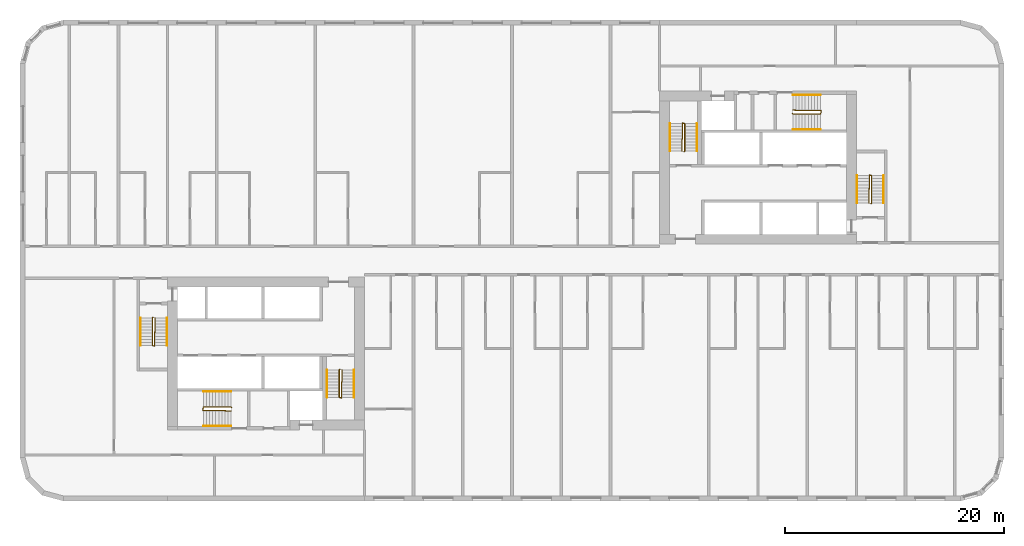
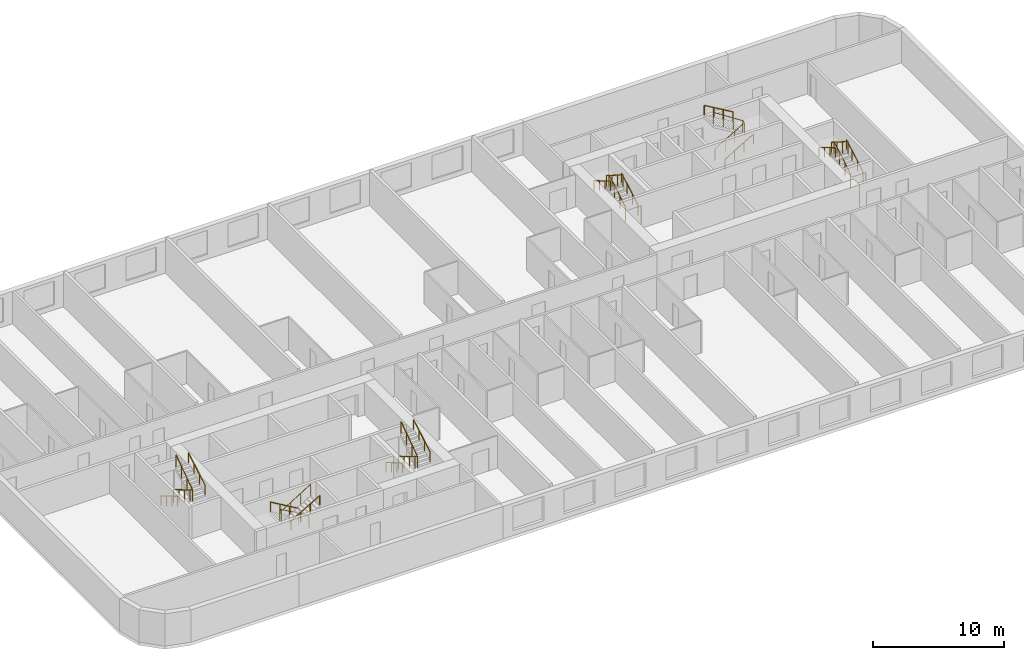
# One storey, part 12 of 12: 18 railings.
"""IFC4 building model written with IfcOpenShell, lengths in metres."""

from ifc_helpers import new_model, si_unit, direction, frame, origin, origin_2d, place, context, subcontext, project, spatial, circle, extrude, material, type_object, element, save


model = new_model("IFC4")

# Units and contexts
model_context = context("Model", 3, precision=1e-05, world=origin(), true_north=direction((0.0, 1.0)))
body_context = subcontext(model_context, "Body", "Model", "MODEL_VIEW")
ifc_project = project(units=[si_unit("LENGTHUNIT", "METRE"), si_unit("AREAUNIT", "SQUARE_METRE"), si_unit("VOLUMEUNIT", "CUBIC_METRE"), si_unit("PLANEANGLEUNIT", "RADIAN"), si_unit("MASSUNIT", "GRAM", prefix="KILO")], contexts=[model_context])

# Site, building, storey
site_placement = place(None, origin())
site = spatial("IfcSite", under=ifc_project, at=site_placement, CompositionType="ELEMENT")
building_placement = place(site_placement, origin())
building = spatial("IfcBuilding", under=site, at=building_placement, Name="Kajstack Hotel Tower", CompositionType="ELEMENT")
storey_placement = place(building_placement, frame((0.0, 0.0, 86.39990234375)))
storey = spatial("IfcBuildingStorey", under=building, at=storey_placement, Name="L17", CompositionType="ELEMENT", Elevation=86.39990234375)

# Railings
ifc_material = material(Name="Steel S355J2", Category="steel")
railing_type_1 = type_object("IfcRailingType", Name="Stair guard 1100", PredefinedType="GUARDRAIL", material=ifc_material)
railing_1_placement = place(storey_placement, frame((-32.85009765625, -5.199951171875, 0.0)))
element("IfcRailing", 1, at=railing_1_placement, inside=storey, type_object=railing_type_1, Name="L17 W1 stair guard 1", PredefinedType="GUARDRAIL", context=body_context, shape_type="SweptSolid", body=[
    extrude(circle(Radius=0.02392578125, at=origin_2d()), frame((0.0, 0.0, 1.076171875), z_axis=(-0.277450376394, -0.278810427259, 0.919394384522), x_axis=(0.708833529934, -0.705375805398, 0.0)), (0.0, 0.0, 1.0), 0.179443359375),
    extrude(circle(Radius=0.02392578125, at=origin_2d()), frame((-0.0498046875, -0.050048828125, 1.2412109375), z_axis=(0.0, -0.86152411907, 0.507716645641), x_axis=(1.0, 0.0, 0.0)), (0.0, 0.0, 1.0), 2.925048828125),
    extrude(circle(Radius=0.02392578125, at=origin_2d()), frame((-0.0498046875, -2.570068359375, 2.72607421875), z_axis=(0.970072785993, -0.242814311512, 0.0), x_axis=(0.242814311512, 0.970072785993, 0.0)), (0.0, 0.0, 1.0), 0.2060546875),
    extrude(circle(Radius=0.02392578125, at=origin_2d()), frame((0.150146484375, -2.6201171875, 2.72607421875), z_axis=(0.016385308676, 0.841405582595, 0.540155687962), x_axis=(-0.999810440751, 0.019470042781, 0.0)), (0.0, 0.0, 1.0), 3.054443359375),
    extrude(circle(Radius=0.02099609375, at=origin_2d()), origin(), (0.0, 0.0, 1.0), 1.052001953125),
    extrude(circle(Radius=0.02099609375, at=origin_2d()), frame((-0.0498046875, -0.050048828125, 0.1650390625)), (0.0, 0.0, 1.0), 1.052001953125),
    extrude(circle(Radius=0.02099609375, at=origin_2d()), frame((-0.0498046875, -0.89013671875, 0.66015625)), (0.0, 0.0, 1.0), 1.052001953125),
    extrude(circle(Radius=0.02099609375, at=origin_2d()), frame((-0.0498046875, -1.72998046875, 1.155029296875)), (0.0, 0.0, 1.0), 1.052001953125),
    extrude(circle(Radius=0.02099609375, at=origin_2d()), frame((-0.0498046875, -2.570068359375, 1.650146484375)), (0.0, 0.0, 1.0), 1.052001953125),
    extrude(circle(Radius=0.02099609375, at=origin_2d()), frame((0.150146484375, -2.6201171875, 1.650146484375)), (0.0, 0.0, 1.0), 1.052001953125),
    extrude(circle(Radius=0.02099609375, at=origin_2d()), frame((0.166748046875, -1.763427734375, 2.2001953125)), (0.0, 0.0, 1.0), 1.052001953125),
    extrude(circle(Radius=0.02099609375, at=origin_2d()), frame((0.18359375, -0.90673828125, 2.75)), (0.0, 0.0, 1.0), 1.052001953125),
    extrude(circle(Radius=0.02099609375, at=origin_2d()), frame((0.2001953125, -0.050048828125, 3.300048828125)), (0.0, 0.0, 1.0), 1.052001953125),
])
railing_2_placement = place(storey_placement, frame((-15.75, -9.949951171875, 0.0)))
element("IfcRailing", 2, at=railing_2_placement, inside=storey, type_object=railing_type_1, Name="L17 W2 stair guard 1", PredefinedType="GUARDRAIL", context=body_context, shape_type="SweptSolid", body=[
    extrude(circle(Radius=0.02392578125, at=origin_2d()), frame((0.0, 0.0, 1.076171875), z_axis=(-0.278705021027, -0.278705021027, 0.919046801044), x_axis=(0.707106781187, -0.707106781187, 0.0)), (0.0, 0.0, 1.0), 0.1796875),
    extrude(circle(Radius=0.02392578125, at=origin_2d()), frame((-0.050048828125, -0.050048828125, 1.2412109375), z_axis=(0.0, -0.86152411907, 0.507716645641), x_axis=(1.0, 0.0, 0.0)), (0.0, 0.0, 1.0), 2.925048828125),
    extrude(circle(Radius=0.02392578125, at=origin_2d()), frame((-0.050048828125, -2.570068359375, 2.72607421875), z_axis=(0.970072785993, -0.242814311512, 0.0), x_axis=(0.242814311512, 0.970072785993, 0.0)), (0.0, 0.0, 1.0), 0.2060546875),
    extrude(circle(Radius=0.02392578125, at=origin_2d()), frame((0.14990234375, -2.6201171875, 2.72607421875), z_axis=(0.016385308676, 0.841405582595, 0.540155687962), x_axis=(-0.999810440751, 0.019470042781, 0.0)), (0.0, 0.0, 1.0), 3.054443359375),
    extrude(circle(Radius=0.02099609375, at=origin_2d()), origin(), (0.0, 0.0, 1.0), 1.052001953125),
    extrude(circle(Radius=0.02099609375, at=origin_2d()), frame((-0.050048828125, -0.050048828125, 0.1650390625)), (0.0, 0.0, 1.0), 1.052001953125),
    extrude(circle(Radius=0.02099609375, at=origin_2d()), frame((-0.050048828125, -0.89013671875, 0.66015625)), (0.0, 0.0, 1.0), 1.052001953125),
    extrude(circle(Radius=0.02099609375, at=origin_2d()), frame((-0.050048828125, -1.72998046875, 1.155029296875)), (0.0, 0.0, 1.0), 1.052001953125),
    extrude(circle(Radius=0.02099609375, at=origin_2d()), frame((-0.050048828125, -2.570068359375, 1.650146484375)), (0.0, 0.0, 1.0), 1.052001953125),
    extrude(circle(Radius=0.02099609375, at=origin_2d()), frame((0.14990234375, -2.6201171875, 1.650146484375)), (0.0, 0.0, 1.0), 1.052001953125),
    extrude(circle(Radius=0.02099609375, at=origin_2d()), frame((0.16650390625, -1.763427734375, 2.2001953125)), (0.0, 0.0, 1.0), 1.052001953125),
    extrude(circle(Radius=0.02099609375, at=origin_2d()), frame((0.183349609375, -0.90673828125, 2.75)), (0.0, 0.0, 1.0), 1.052001953125),
    extrude(circle(Radius=0.02099609375, at=origin_2d()), frame((0.199951171875, -0.050048828125, 3.300048828125)), (0.0, 0.0, 1.0), 1.052001953125),
])
railing_3_placement = place(storey_placement, frame((-25.64990234375, -13.449951171875, 0.0)))
element("IfcRailing", 3, at=railing_3_placement, inside=storey, type_object=railing_type_1, Name="L17 W3 stair guard 1", PredefinedType="GUARDRAIL", context=body_context, shape_type="SweptSolid", body=[
    extrude(circle(Radius=0.02392578125, at=origin_2d()), frame((0.0, 0.0, 1.076171875), z_axis=(-0.278705021027, 0.278705021027, 0.919046801044), x_axis=(-0.707106781187, -0.707106781187, 0.0)), (0.0, 0.0, 1.0), 0.1796875),
    extrude(circle(Radius=0.02392578125, at=origin_2d()), frame((-0.050048828125, 0.050048828125, 1.2412109375), z_axis=(-0.86152411907, 0.0, 0.507716645641), x_axis=(0.0, -1.0, 0.0)), (0.0, 0.0, 1.0), 2.925048828125),
    extrude(circle(Radius=0.02392578125, at=origin_2d()), frame((-2.570068359375, 0.050048828125, 2.72607421875), z_axis=(-0.164529134168, -0.986372223864, 0.0), x_axis=(0.986372223864, -0.164529134168, 0.0)), (0.0, 0.0, 1.0), 0.30419921875),
    extrude(circle(Radius=0.02392578125, at=origin_2d()), frame((-2.6201171875, -0.25, 2.72607421875), z_axis=(0.841405582595, -0.016385308676, 0.540155687962), x_axis=(0.019470042781, 0.999810440751, 0.0)), (0.0, 0.0, 1.0), 3.054443359375),
    extrude(circle(Radius=0.02099609375, at=origin_2d()), origin(), (0.0, 0.0, 1.0), 1.052001953125),
    extrude(circle(Radius=0.02099609375, at=origin_2d()), frame((-0.050048828125, 0.050048828125, 0.1650390625)), (0.0, 0.0, 1.0), 1.052001953125),
    extrude(circle(Radius=0.02099609375, at=origin_2d()), frame((-0.89013671875, 0.050048828125, 0.66015625)), (0.0, 0.0, 1.0), 1.052001953125),
    extrude(circle(Radius=0.02099609375, at=origin_2d()), frame((-1.72998046875, 0.050048828125, 1.155029296875)), (0.0, 0.0, 1.0), 1.052001953125),
    extrude(circle(Radius=0.02099609375, at=origin_2d()), frame((-2.570068359375, 0.050048828125, 1.650146484375)), (0.0, 0.0, 1.0), 1.052001953125),
    extrude(circle(Radius=0.02099609375, at=origin_2d()), frame((-2.6201171875, -0.25, 1.650146484375)), (0.0, 0.0, 1.0), 1.052001953125),
    extrude(circle(Radius=0.02099609375, at=origin_2d()), frame((-1.763427734375, -0.2666015625, 2.2001953125)), (0.0, 0.0, 1.0), 1.052001953125),
    extrude(circle(Radius=0.02099609375, at=origin_2d()), frame((-0.90673828125, -0.283447265625, 2.75)), (0.0, 0.0, 1.0), 1.052001953125),
    extrude(circle(Radius=0.02099609375, at=origin_2d()), frame((-0.050048828125, -0.300048828125, 3.300048828125)), (0.0, 0.0, 1.0), 1.052001953125),
])
railing_4_placement = place(storey_placement, frame((32.85009765625, 5.199951171875, 0.0)))
element("IfcRailing", 4, at=railing_4_placement, inside=storey, type_object=railing_type_1, Name="L17 E1 stair guard 1", PredefinedType="GUARDRAIL", context=body_context, shape_type="SweptSolid", body=[
    extrude(circle(Radius=0.02392578125, at=origin_2d()), frame((0.0, 0.0, 1.076171875), z_axis=(0.277450376394, 0.278810427259, 0.919394384522), x_axis=(-0.708833529934, 0.705375805398, 0.0)), (0.0, 0.0, 1.0), 0.179443359375),
    extrude(circle(Radius=0.02392578125, at=origin_2d()), frame((0.0498046875, 0.050048828125, 1.2412109375), z_axis=(0.0, 0.86152411907, 0.507716645641), x_axis=(-1.0, 0.0, 0.0)), (0.0, 0.0, 1.0), 2.925048828125),
    extrude(circle(Radius=0.02392578125, at=origin_2d()), frame((0.0498046875, 2.570068359375, 2.72607421875), z_axis=(-0.970072785993, 0.242814311512, 0.0), x_axis=(-0.242814311512, -0.970072785993, 0.0)), (0.0, 0.0, 1.0), 0.2060546875),
    extrude(circle(Radius=0.02392578125, at=origin_2d()), frame((-0.150146484375, 2.6201171875, 2.72607421875), z_axis=(-0.016385308676, -0.841405582595, 0.540155687962), x_axis=(0.999810440751, -0.019470042781, 0.0)), (0.0, 0.0, 1.0), 3.054443359375),
    extrude(circle(Radius=0.02099609375, at=origin_2d()), origin(), (0.0, 0.0, 1.0), 1.052001953125),
    extrude(circle(Radius=0.02099609375, at=origin_2d()), frame((0.0498046875, 0.050048828125, 0.1650390625)), (0.0, 0.0, 1.0), 1.052001953125),
    extrude(circle(Radius=0.02099609375, at=origin_2d()), frame((0.0498046875, 0.89013671875, 0.66015625)), (0.0, 0.0, 1.0), 1.052001953125),
    extrude(circle(Radius=0.02099609375, at=origin_2d()), frame((0.0498046875, 1.72998046875, 1.155029296875)), (0.0, 0.0, 1.0), 1.052001953125),
    extrude(circle(Radius=0.02099609375, at=origin_2d()), frame((0.0498046875, 2.570068359375, 1.650146484375)), (0.0, 0.0, 1.0), 1.052001953125),
    extrude(circle(Radius=0.02099609375, at=origin_2d()), frame((-0.150146484375, 2.6201171875, 1.650146484375)), (0.0, 0.0, 1.0), 1.052001953125),
    extrude(circle(Radius=0.02099609375, at=origin_2d()), frame((-0.166748046875, 1.763427734375, 2.2001953125)), (0.0, 0.0, 1.0), 1.052001953125),
    extrude(circle(Radius=0.02099609375, at=origin_2d()), frame((-0.18359375, 0.90673828125, 2.75)), (0.0, 0.0, 1.0), 1.052001953125),
    extrude(circle(Radius=0.02099609375, at=origin_2d()), frame((-0.2001953125, 0.050048828125, 3.300048828125)), (0.0, 0.0, 1.0), 1.052001953125),
])
railing_5_placement = place(storey_placement, frame((15.75, 9.949951171875, 0.0)))
element("IfcRailing", 5, at=railing_5_placement, inside=storey, type_object=railing_type_1, Name="L17 E2 stair guard 1", PredefinedType="GUARDRAIL", context=body_context, shape_type="SweptSolid", body=[
    extrude(circle(Radius=0.02392578125, at=origin_2d()), frame((0.0, 0.0, 1.076171875), z_axis=(0.278705021027, 0.278705021027, 0.919046801044), x_axis=(-0.707106781187, 0.707106781187, 0.0)), (0.0, 0.0, 1.0), 0.1796875),
    extrude(circle(Radius=0.02392578125, at=origin_2d()), frame((0.050048828125, 0.050048828125, 1.2412109375), z_axis=(0.0, 0.86152411907, 0.507716645641), x_axis=(-1.0, 0.0, 0.0)), (0.0, 0.0, 1.0), 2.925048828125),
    extrude(circle(Radius=0.02392578125, at=origin_2d()), frame((0.050048828125, 2.570068359375, 2.72607421875), z_axis=(-0.970072785993, 0.242814311512, 0.0), x_axis=(-0.242814311512, -0.970072785993, 0.0)), (0.0, 0.0, 1.0), 0.2060546875),
    extrude(circle(Radius=0.02392578125, at=origin_2d()), frame((-0.14990234375, 2.6201171875, 2.72607421875), z_axis=(-0.016385308676, -0.841405582595, 0.540155687962), x_axis=(0.999810440751, -0.019470042781, 0.0)), (0.0, 0.0, 1.0), 3.054443359375),
    extrude(circle(Radius=0.02099609375, at=origin_2d()), origin(), (0.0, 0.0, 1.0), 1.052001953125),
    extrude(circle(Radius=0.02099609375, at=origin_2d()), frame((0.050048828125, 0.050048828125, 0.1650390625)), (0.0, 0.0, 1.0), 1.052001953125),
    extrude(circle(Radius=0.02099609375, at=origin_2d()), frame((0.050048828125, 0.89013671875, 0.66015625)), (0.0, 0.0, 1.0), 1.052001953125),
    extrude(circle(Radius=0.02099609375, at=origin_2d()), frame((0.050048828125, 1.72998046875, 1.155029296875)), (0.0, 0.0, 1.0), 1.052001953125),
    extrude(circle(Radius=0.02099609375, at=origin_2d()), frame((0.050048828125, 2.570068359375, 1.650146484375)), (0.0, 0.0, 1.0), 1.052001953125),
    extrude(circle(Radius=0.02099609375, at=origin_2d()), frame((-0.14990234375, 2.6201171875, 1.650146484375)), (0.0, 0.0, 1.0), 1.052001953125),
    extrude(circle(Radius=0.02099609375, at=origin_2d()), frame((-0.16650390625, 1.763427734375, 2.2001953125)), (0.0, 0.0, 1.0), 1.052001953125),
    extrude(circle(Radius=0.02099609375, at=origin_2d()), frame((-0.183349609375, 0.90673828125, 2.75)), (0.0, 0.0, 1.0), 1.052001953125),
    extrude(circle(Radius=0.02099609375, at=origin_2d()), frame((-0.199951171875, 0.050048828125, 3.300048828125)), (0.0, 0.0, 1.0), 1.052001953125),
])
railing_6_placement = place(storey_placement, frame((25.64990234375, 13.449951171875, 0.0)))
element("IfcRailing", 6, at=railing_6_placement, inside=storey, type_object=railing_type_1, Name="L17 E3 stair guard 1", PredefinedType="GUARDRAIL", context=body_context, shape_type="SweptSolid", body=[
    extrude(circle(Radius=0.02392578125, at=origin_2d()), frame((0.0, 0.0, 1.076171875), z_axis=(0.278705021027, -0.278705021027, 0.919046801044), x_axis=(0.707106781187, 0.707106781187, 0.0)), (0.0, 0.0, 1.0), 0.1796875),
    extrude(circle(Radius=0.02392578125, at=origin_2d()), frame((0.050048828125, -0.050048828125, 1.2412109375), z_axis=(0.86152411907, 0.0, 0.507716645641), x_axis=(0.0, 1.0, 0.0)), (0.0, 0.0, 1.0), 2.925048828125),
    extrude(circle(Radius=0.02392578125, at=origin_2d()), frame((2.570068359375, -0.050048828125, 2.72607421875), z_axis=(0.164529134168, 0.986372223864, 0.0), x_axis=(-0.986372223864, 0.164529134168, 0.0)), (0.0, 0.0, 1.0), 0.30419921875),
    extrude(circle(Radius=0.02392578125, at=origin_2d()), frame((2.6201171875, 0.25, 2.72607421875), z_axis=(-0.841405582595, 0.016385308676, 0.540155687962), x_axis=(-0.019470042781, -0.999810440751, 0.0)), (0.0, 0.0, 1.0), 3.054443359375),
    extrude(circle(Radius=0.02099609375, at=origin_2d()), origin(), (0.0, 0.0, 1.0), 1.052001953125),
    extrude(circle(Radius=0.02099609375, at=origin_2d()), frame((0.050048828125, -0.050048828125, 0.1650390625)), (0.0, 0.0, 1.0), 1.052001953125),
    extrude(circle(Radius=0.02099609375, at=origin_2d()), frame((0.89013671875, -0.050048828125, 0.66015625)), (0.0, 0.0, 1.0), 1.052001953125),
    extrude(circle(Radius=0.02099609375, at=origin_2d()), frame((1.72998046875, -0.050048828125, 1.155029296875)), (0.0, 0.0, 1.0), 1.052001953125),
    extrude(circle(Radius=0.02099609375, at=origin_2d()), frame((2.570068359375, -0.050048828125, 1.650146484375)), (0.0, 0.0, 1.0), 1.052001953125),
    extrude(circle(Radius=0.02099609375, at=origin_2d()), frame((2.6201171875, 0.25, 1.650146484375)), (0.0, 0.0, 1.0), 1.052001953125),
    extrude(circle(Radius=0.02099609375, at=origin_2d()), frame((1.763427734375, 0.2666015625, 2.2001953125)), (0.0, 0.0, 1.0), 1.052001953125),
    extrude(circle(Radius=0.02099609375, at=origin_2d()), frame((0.90673828125, 0.283447265625, 2.75)), (0.0, 0.0, 1.0), 1.052001953125),
    extrude(circle(Radius=0.02099609375, at=origin_2d()), frame((0.050048828125, 0.300048828125, 3.300048828125)), (0.0, 0.0, 1.0), 1.052001953125),
])
railing_type_2 = type_object("IfcRailingType", Name="Stair handrail 900", PredefinedType="HANDRAIL", material=ifc_material)
railing_7_placement = place(storey_placement, frame((-34.0, -5.25, 0.1650390625)))
element("IfcRailing", 7, at=railing_7_placement, inside=storey, type_object=railing_type_2, Name="L17 W1 stair handrail 1", PredefinedType="HANDRAIL", context=body_context, shape_type="SweptSolid", body=[
    extrude(circle(Radius=0.02392578125, at=origin_2d()), frame((0.0, 0.0, 0.8759765625), z_axis=(0.0, -0.86152411907, 0.507716645641), x_axis=(1.0, 0.0, 0.0)), (0.0, 0.0, 1.0), 2.925048828125),
    extrude(circle(Radius=0.02099609375, at=origin_2d()), origin(), (0.0, 0.0, 1.0), 0.851806640625),
    extrude(circle(Radius=0.02099609375, at=origin_2d()), frame((0.0, -0.840087890625, 0.4951171875)), (0.0, 0.0, 1.0), 0.851806640625),
    extrude(circle(Radius=0.02099609375, at=origin_2d()), frame((0.0, -1.679931640625, 0.989990234375)), (0.0, 0.0, 1.0), 0.851806640625),
    extrude(circle(Radius=0.02099609375, at=origin_2d()), frame((0.0, -2.52001953125, 1.485107421875)), (0.0, 0.0, 1.0), 0.851806640625),
])
railing_8_placement = place(storey_placement, frame((-31.550048828125, -7.77001953125, 1.815185546875)))
element("IfcRailing", 8, at=railing_8_placement, inside=storey, type_object=railing_type_2, Name="L17 W1 stair handrail 2", PredefinedType="HANDRAIL", context=body_context, shape_type="SweptSolid", body=[
    extrude(circle(Radius=0.02392578125, at=origin_2d()), frame((0.0, 0.0, 0.8759765625), z_axis=(0.0, 0.861560626758, 0.507654692109), x_axis=(-1.0, 0.0, 0.0)), (0.0, 0.0, 1.0), 2.925048828125),
    extrude(circle(Radius=0.02099609375, at=origin_2d()), origin(), (0.0, 0.0, 1.0), 0.851806640625),
    extrude(circle(Radius=0.02099609375, at=origin_2d()), frame((0.0, 0.840087890625, 0.494873046875)), (0.0, 0.0, 1.0), 0.851806640625),
    extrude(circle(Radius=0.02099609375, at=origin_2d()), frame((0.0, 1.679931640625, 0.989990234375)), (0.0, 0.0, 1.0), 0.851806640625),
    extrude(circle(Radius=0.02099609375, at=origin_2d()), frame((0.0, 2.52001953125, 1.48486328125)), (0.0, 0.0, 1.0), 0.851806640625),
])
railing_9_placement = place(storey_placement, frame((-16.89990234375, -10.0, 0.1650390625)))
element("IfcRailing", 9, at=railing_9_placement, inside=storey, type_object=railing_type_2, Name="L17 W2 stair handrail 1", PredefinedType="HANDRAIL", context=body_context, shape_type="SweptSolid", body=[
    extrude(circle(Radius=0.02392578125, at=origin_2d()), frame((0.0, 0.0, 0.8759765625), z_axis=(0.0, -0.86152411907, 0.507716645641), x_axis=(1.0, 0.0, 0.0)), (0.0, 0.0, 1.0), 2.925048828125),
    extrude(circle(Radius=0.02099609375, at=origin_2d()), origin(), (0.0, 0.0, 1.0), 0.851806640625),
    extrude(circle(Radius=0.02099609375, at=origin_2d()), frame((0.0, -0.840087890625, 0.4951171875)), (0.0, 0.0, 1.0), 0.851806640625),
    extrude(circle(Radius=0.02099609375, at=origin_2d()), frame((0.0, -1.679931640625, 0.989990234375)), (0.0, 0.0, 1.0), 0.851806640625),
    extrude(circle(Radius=0.02099609375, at=origin_2d()), frame((0.0, -2.52001953125, 1.485107421875)), (0.0, 0.0, 1.0), 0.851806640625),
])
railing_10_placement = place(storey_placement, frame((-14.449951171875, -12.52001953125, 1.815185546875)))
element("IfcRailing", 10, at=railing_10_placement, inside=storey, type_object=railing_type_2, Name="L17 W2 stair handrail 2", PredefinedType="HANDRAIL", context=body_context, shape_type="SweptSolid", body=[
    extrude(circle(Radius=0.02392578125, at=origin_2d()), frame((0.0, 0.0, 0.8759765625), z_axis=(0.0, 0.861560626758, 0.507654692109), x_axis=(-1.0, 0.0, 0.0)), (0.0, 0.0, 1.0), 2.925048828125),
    extrude(circle(Radius=0.02099609375, at=origin_2d()), origin(), (0.0, 0.0, 1.0), 0.851806640625),
    extrude(circle(Radius=0.02099609375, at=origin_2d()), frame((0.0, 0.840087890625, 0.494873046875)), (0.0, 0.0, 1.0), 0.851806640625),
    extrude(circle(Radius=0.02099609375, at=origin_2d()), frame((0.0, 1.679931640625, 0.989990234375)), (0.0, 0.0, 1.0), 0.851806640625),
    extrude(circle(Radius=0.02099609375, at=origin_2d()), frame((0.0, 2.52001953125, 1.48486328125)), (0.0, 0.0, 1.0), 0.851806640625),
])
railing_11_placement = place(storey_placement, frame((-25.699951171875, -12.0, 0.1650390625)))
element("IfcRailing", 11, at=railing_11_placement, inside=storey, type_object=railing_type_2, Name="L17 W3 stair handrail 1", PredefinedType="HANDRAIL", context=body_context, shape_type="SweptSolid", body=[
    extrude(circle(Radius=0.02392578125, at=origin_2d()), frame((0.0, 0.0, 0.8759765625), z_axis=(-0.86152411907, 0.0, 0.507716645641), x_axis=(0.0, -1.0, 0.0)), (0.0, 0.0, 1.0), 2.925048828125),
    extrude(circle(Radius=0.02099609375, at=origin_2d()), origin(), (0.0, 0.0, 1.0), 0.851806640625),
    extrude(circle(Radius=0.02099609375, at=origin_2d()), frame((-0.840087890625, 0.0, 0.4951171875)), (0.0, 0.0, 1.0), 0.851806640625),
    extrude(circle(Radius=0.02099609375, at=origin_2d()), frame((-1.679931640625, 0.0, 0.989990234375)), (0.0, 0.0, 1.0), 0.851806640625),
    extrude(circle(Radius=0.02099609375, at=origin_2d()), frame((-2.52001953125, 0.0, 1.485107421875)), (0.0, 0.0, 1.0), 0.851806640625),
])
railing_12_placement = place(storey_placement, frame((-28.219970703125, -15.14990234375, 1.815185546875)))
element("IfcRailing", 12, at=railing_12_placement, inside=storey, type_object=railing_type_2, Name="L17 W3 stair handrail 2", PredefinedType="HANDRAIL", context=body_context, shape_type="SweptSolid", body=[
    extrude(circle(Radius=0.02392578125, at=origin_2d()), frame((0.0, 0.0, 0.8759765625), z_axis=(0.861560626758, 0.0, 0.507654692109), x_axis=(0.0, 1.0, 0.0)), (0.0, 0.0, 1.0), 2.925048828125),
    extrude(circle(Radius=0.02099609375, at=origin_2d()), origin(), (0.0, 0.0, 1.0), 0.851806640625),
    extrude(circle(Radius=0.02099609375, at=origin_2d()), frame((0.840087890625, 0.0, 0.494873046875)), (0.0, 0.0, 1.0), 0.851806640625),
    extrude(circle(Radius=0.02099609375, at=origin_2d()), frame((1.679931640625, 0.0, 0.989990234375)), (0.0, 0.0, 1.0), 0.851806640625),
    extrude(circle(Radius=0.02099609375, at=origin_2d()), frame((2.52001953125, 0.0, 1.48486328125)), (0.0, 0.0, 1.0), 0.851806640625),
])
railing_13_placement = place(storey_placement, frame((34.0, 5.25, 0.1650390625)))
element("IfcRailing", 13, at=railing_13_placement, inside=storey, type_object=railing_type_2, Name="L17 E1 stair handrail 1", PredefinedType="HANDRAIL", context=body_context, shape_type="SweptSolid", body=[
    extrude(circle(Radius=0.02392578125, at=origin_2d()), frame((0.0, 0.0, 0.8759765625), z_axis=(0.0, 0.86152411907, 0.507716645641), x_axis=(-1.0, 0.0, 0.0)), (0.0, 0.0, 1.0), 2.925048828125),
    extrude(circle(Radius=0.02099609375, at=origin_2d()), origin(), (0.0, 0.0, 1.0), 0.851806640625),
    extrude(circle(Radius=0.02099609375, at=origin_2d()), frame((0.0, 0.840087890625, 0.4951171875)), (0.0, 0.0, 1.0), 0.851806640625),
    extrude(circle(Radius=0.02099609375, at=origin_2d()), frame((0.0, 1.679931640625, 0.989990234375)), (0.0, 0.0, 1.0), 0.851806640625),
    extrude(circle(Radius=0.02099609375, at=origin_2d()), frame((0.0, 2.52001953125, 1.485107421875)), (0.0, 0.0, 1.0), 0.851806640625),
])
railing_14_placement = place(storey_placement, frame((31.550048828125, 7.77001953125, 1.815185546875)))
element("IfcRailing", 14, at=railing_14_placement, inside=storey, type_object=railing_type_2, Name="L17 E1 stair handrail 2", PredefinedType="HANDRAIL", context=body_context, shape_type="SweptSolid", body=[
    extrude(circle(Radius=0.02392578125, at=origin_2d()), frame((0.0, 0.0, 0.8759765625), z_axis=(0.0, -0.861560626758, 0.507654692109), x_axis=(1.0, 0.0, 0.0)), (0.0, 0.0, 1.0), 2.925048828125),
    extrude(circle(Radius=0.02099609375, at=origin_2d()), origin(), (0.0, 0.0, 1.0), 0.851806640625),
    extrude(circle(Radius=0.02099609375, at=origin_2d()), frame((0.0, -0.840087890625, 0.494873046875)), (0.0, 0.0, 1.0), 0.851806640625),
    extrude(circle(Radius=0.02099609375, at=origin_2d()), frame((0.0, -1.679931640625, 0.989990234375)), (0.0, 0.0, 1.0), 0.851806640625),
    extrude(circle(Radius=0.02099609375, at=origin_2d()), frame((0.0, -2.52001953125, 1.48486328125)), (0.0, 0.0, 1.0), 0.851806640625),
])
railing_15_placement = place(storey_placement, frame((16.89990234375, 10.0, 0.1650390625)))
element("IfcRailing", 15, at=railing_15_placement, inside=storey, type_object=railing_type_2, Name="L17 E2 stair handrail 1", PredefinedType="HANDRAIL", context=body_context, shape_type="SweptSolid", body=[
    extrude(circle(Radius=0.02392578125, at=origin_2d()), frame((0.0, 0.0, 0.8759765625), z_axis=(0.0, 0.86152411907, 0.507716645641), x_axis=(-1.0, 0.0, 0.0)), (0.0, 0.0, 1.0), 2.925048828125),
    extrude(circle(Radius=0.02099609375, at=origin_2d()), origin(), (0.0, 0.0, 1.0), 0.851806640625),
    extrude(circle(Radius=0.02099609375, at=origin_2d()), frame((0.0, 0.840087890625, 0.4951171875)), (0.0, 0.0, 1.0), 0.851806640625),
    extrude(circle(Radius=0.02099609375, at=origin_2d()), frame((0.0, 1.679931640625, 0.989990234375)), (0.0, 0.0, 1.0), 0.851806640625),
    extrude(circle(Radius=0.02099609375, at=origin_2d()), frame((0.0, 2.52001953125, 1.485107421875)), (0.0, 0.0, 1.0), 0.851806640625),
])
railing_16_placement = place(storey_placement, frame((14.449951171875, 12.52001953125, 1.815185546875)))
element("IfcRailing", 16, at=railing_16_placement, inside=storey, type_object=railing_type_2, Name="L17 E2 stair handrail 2", PredefinedType="HANDRAIL", context=body_context, shape_type="SweptSolid", body=[
    extrude(circle(Radius=0.02392578125, at=origin_2d()), frame((0.0, 0.0, 0.8759765625), z_axis=(0.0, -0.861560626758, 0.507654692109), x_axis=(1.0, 0.0, 0.0)), (0.0, 0.0, 1.0), 2.925048828125),
    extrude(circle(Radius=0.02099609375, at=origin_2d()), origin(), (0.0, 0.0, 1.0), 0.851806640625),
    extrude(circle(Radius=0.02099609375, at=origin_2d()), frame((0.0, -0.840087890625, 0.494873046875)), (0.0, 0.0, 1.0), 0.851806640625),
    extrude(circle(Radius=0.02099609375, at=origin_2d()), frame((0.0, -1.679931640625, 0.989990234375)), (0.0, 0.0, 1.0), 0.851806640625),
    extrude(circle(Radius=0.02099609375, at=origin_2d()), frame((0.0, -2.52001953125, 1.48486328125)), (0.0, 0.0, 1.0), 0.851806640625),
])
railing_17_placement = place(storey_placement, frame((25.699951171875, 12.0, 0.1650390625)))
element("IfcRailing", 17, at=railing_17_placement, inside=storey, type_object=railing_type_2, Name="L17 E3 stair handrail 1", PredefinedType="HANDRAIL", context=body_context, shape_type="SweptSolid", body=[
    extrude(circle(Radius=0.02392578125, at=origin_2d()), frame((0.0, 0.0, 0.8759765625), z_axis=(0.86152411907, 0.0, 0.507716645641), x_axis=(0.0, 1.0, 0.0)), (0.0, 0.0, 1.0), 2.925048828125),
    extrude(circle(Radius=0.02099609375, at=origin_2d()), origin(), (0.0, 0.0, 1.0), 0.851806640625),
    extrude(circle(Radius=0.02099609375, at=origin_2d()), frame((0.840087890625, 0.0, 0.4951171875)), (0.0, 0.0, 1.0), 0.851806640625),
    extrude(circle(Radius=0.02099609375, at=origin_2d()), frame((1.679931640625, 0.0, 0.989990234375)), (0.0, 0.0, 1.0), 0.851806640625),
    extrude(circle(Radius=0.02099609375, at=origin_2d()), frame((2.52001953125, 0.0, 1.485107421875)), (0.0, 0.0, 1.0), 0.851806640625),
])
railing_18_placement = place(storey_placement, frame((28.219970703125, 15.14990234375, 1.815185546875)))
element("IfcRailing", 18, at=railing_18_placement, inside=storey, type_object=railing_type_2, Name="L17 E3 stair handrail 2", PredefinedType="HANDRAIL", context=body_context, shape_type="SweptSolid", body=[
    extrude(circle(Radius=0.02392578125, at=origin_2d()), frame((0.0, 0.0, 0.8759765625), z_axis=(-0.861560626758, 0.0, 0.507654692109), x_axis=(0.0, -1.0, 0.0)), (0.0, 0.0, 1.0), 2.925048828125),
    extrude(circle(Radius=0.02099609375, at=origin_2d()), origin(), (0.0, 0.0, 1.0), 0.851806640625),
    extrude(circle(Radius=0.02099609375, at=origin_2d()), frame((-0.840087890625, 0.0, 0.494873046875)), (0.0, 0.0, 1.0), 0.851806640625),
    extrude(circle(Radius=0.02099609375, at=origin_2d()), frame((-1.679931640625, 0.0, 0.989990234375)), (0.0, 0.0, 1.0), 0.851806640625),
    extrude(circle(Radius=0.02099609375, at=origin_2d()), frame((-2.52001953125, 0.0, 1.48486328125)), (0.0, 0.0, 1.0), 0.851806640625),
])

save(model, "model.ifc")
